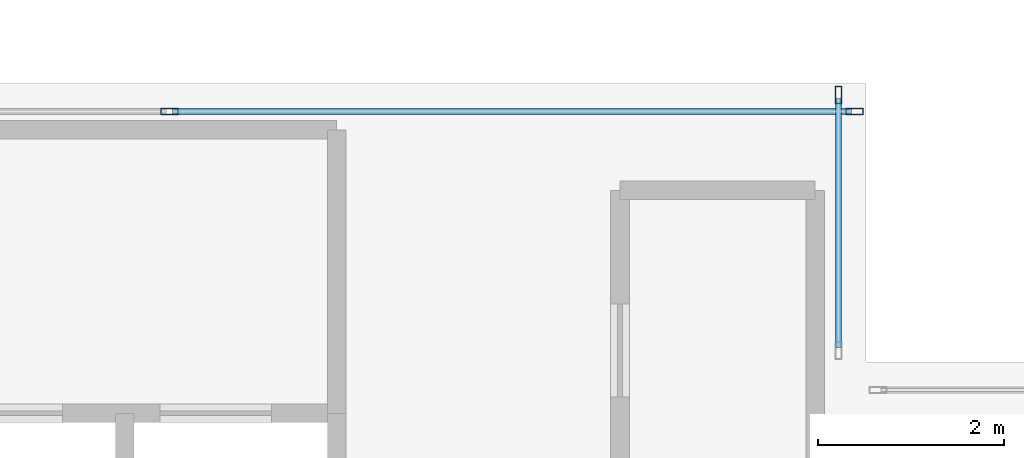
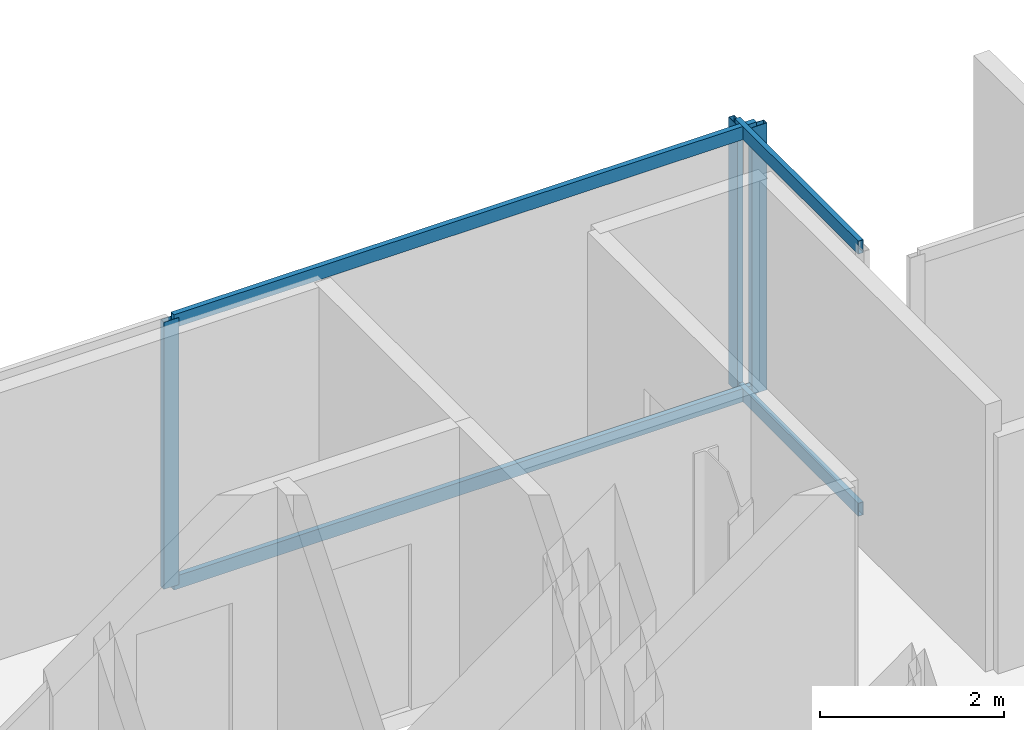
# One storey, part 12 of 22: 7 members, 2 elements without a shape of their own.
"""IFC4 building model written with IfcOpenShell, lengths in metres."""

from ifc_helpers import new_model, si_unit, direction, frame, origin, origin_2d, place, context, subcontext, project, spatial, hollow_rectangle, extrude, material, layer, layer_set, material_profile, profile_set, type_object, element, aggregate, save


model = new_model("IFC4")

# Units and contexts
model_context = context("Model", 3, precision=1e-05, world=origin(), true_north=direction((0.0, 1.0)))
body_context = subcontext(model_context, "Body", "Model", "MODEL_VIEW")
ifc_project = project(units=[si_unit("LENGTHUNIT", "METRE"), si_unit("AREAUNIT", "SQUARE_METRE"), si_unit("VOLUMEUNIT", "CUBIC_METRE"), si_unit("PLANEANGLEUNIT", "RADIAN"), si_unit("MASSUNIT", "GRAM", prefix="KILO"), si_unit("THERMODYNAMICTEMPERATUREUNIT", "KELVIN"), si_unit("POWERUNIT", "WATT")], contexts=[model_context])

# Site, building, storey
site_placement = place(None, origin())
site = spatial("IfcSite", under=ifc_project, at=site_placement, CompositionType="ELEMENT")
building_placement = place(site_placement, origin())
building = spatial("IfcBuilding", under=site, at=building_placement, Name="Svarakhadi Broadcast Tower", CompositionType="ELEMENT")
storey_placement = place(building_placement, frame((0.0, 0.0, 172.949951171875)))
storey = spatial("IfcBuildingStorey", under=building, at=storey_placement, Name="L42", CompositionType="ELEMENT", Elevation=172.949951171875)

# Curtain wall, members
ifc_material = material(Name="Anodised Bronze Aluminium AA 6063-T6", Category="aluminium")
ifc_layer = layer(ifc_material, 0.18994140625)
ifc_layer_set = layer_set([ifc_layer], Name="Anodised Bronze Aluminium AA 6063-T6")
curtain_wall_type = type_object("IfcCurtainWallType", Name="CW_Sys_04", PredefinedType="NOTDEFINED", material=ifc_layer_set)
curtain_wall_1_placement = place(storey_placement, origin())
curtain_wall_1 = element("IfcCurtainWall", 1, at=curtain_wall_1_placement, inside=storey, type_object=curtain_wall_type, Name="L42 Unitised Facade Curtain Wall 10", PredefinedType="NOTDEFINED")
ifc_material_profile_1 = material_profile(ifc_material, hollow_rectangle(XDim=0.070068359375, YDim=0.18994140625, WallThickness=0.005615234375, at=origin_2d()), Name="ALU MULLION 190x70x6")
ifc_profile_set_1 = profile_set([ifc_material_profile_1], Name="Anodised Bronze Aluminium AA 6063-T6")
member_type_1 = type_object("IfcMemberType", Name="CW_Sys_04_Mul", PredefinedType="MULLION", material=ifc_profile_set_1)
member_1_placement = place(storey_placement, frame((31.5, 23.699951171875, 0.0), z_axis=(0.0, 0.0, 1.0), x_axis=(0.0, 1.0, 0.0)))
member_1 = element("IfcMember", 2, at=member_1_placement, type_object=member_type_1, Name="CW-04 mullion 2", PredefinedType="MULLION", context=body_context, shape_type="SweptSolid", body=[
    extrude(hollow_rectangle(XDim=0.070068359375, YDim=0.18994140625, WallThickness=0.005615234375, at=origin_2d()), origin(), (0.0, 0.0, 1.0), 3.5400390625),
])
member_2_placement = place(storey_placement, frame((38.875, 23.699951171875, 0.0), z_axis=(0.0, 0.0, 1.0), x_axis=(0.0, 1.0, 0.0)))
member_2 = element("IfcMember", 3, at=member_2_placement, type_object=member_type_1, Name="CW-04 mullion 3", PredefinedType="MULLION", context=body_context, shape_type="SweptSolid", body=[
    extrude(hollow_rectangle(XDim=0.070068359375, YDim=0.18994140625, WallThickness=0.005615234375, at=origin_2d()), origin(), (0.0, 0.0, 1.0), 3.5400390625),
])

# Curtain wall, member
curtain_wall_2_placement = place(storey_placement, origin())
curtain_wall_2 = element("IfcCurtainWall", 4, at=curtain_wall_2_placement, inside=storey, type_object=curtain_wall_type, Name="L42 Unitised Facade Curtain Wall 11", PredefinedType="NOTDEFINED")
member_3_placement = place(storey_placement, frame((38.699951171875, 23.875, 0.0), z_axis=(0.0, 0.0, 1.0), x_axis=(1.0, 0.0, 0.0)))
member_3 = element("IfcMember", 5, at=member_3_placement, type_object=member_type_1, Name="CW-04 mullion 1", PredefinedType="MULLION", context=body_context, shape_type="SweptSolid", body=[
    extrude(hollow_rectangle(XDim=0.070068359375, YDim=0.18994140625, WallThickness=0.005615234375, at=origin_2d()), origin(), (0.0, 0.0, 1.0), 3.5400390625),
])

# Member
ifc_material_profile_2 = material_profile(ifc_material, hollow_rectangle(XDim=0.06494140625, YDim=0.175048828125, WallThickness=0.0048828125, at=origin_2d()), Name="ALU TRANSOM 175x65x5")
ifc_profile_set_2 = profile_set([ifc_material_profile_2], Name="Anodised Bronze Aluminium AA 6063-T6")
member_type_2 = type_object("IfcMemberType", Name="CW_Sys_04_Trn", PredefinedType="USERDEFINED", material=ifc_profile_set_2)
member_4_placement = place(storey_placement, frame((31.534912109375, 23.699951171875, 0.032470703125), z_axis=(1.0, 0.0, 0.0), x_axis=(0.0, 1.0, 0.0)))
member_4 = element("IfcMember", 6, at=member_4_placement, type_object=member_type_2, Name="CW-04 transom 2.1", ObjectType="TRANSOM", PredefinedType="USERDEFINED", context=body_context, shape_type="SweptSolid", body=[
    extrude(hollow_rectangle(XDim=0.06494140625, YDim=0.175048828125, WallThickness=0.0048828125, at=origin_2d()), origin(), (0.0, 0.0, 1.0), 7.30517578125),
])

member_5_placement = place(storey_placement, frame((31.534912109375, 23.699951171875, 3.507568359375), z_axis=(1.0, 0.0, 0.0), x_axis=(0.0, 1.0, 0.0)))
member_5 = element("IfcMember", 7, at=member_5_placement, type_object=member_type_2, Name="CW-04 transom 2.2", ObjectType="TRANSOM", PredefinedType="USERDEFINED", context=body_context, shape_type="SweptSolid", body=[
    extrude(hollow_rectangle(XDim=0.06494140625, YDim=0.175048828125, WallThickness=0.0048828125, at=origin_2d()), origin(), (0.0, 0.0, 1.0), 7.30517578125),
])

aggregate(curtain_wall_1, [member_1, member_2, member_4, member_5])

member_6_placement = place(storey_placement, frame((38.699951171875, 23.840087890625, 0.032470703125), z_axis=(0.0, -1.0, 0.0), x_axis=(1.0, 0.0, 0.0)))
member_6 = element("IfcMember", 8, at=member_6_placement, type_object=member_type_2, Name="CW-04 transom 1.1", ObjectType="TRANSOM", PredefinedType="USERDEFINED", context=body_context, shape_type="SweptSolid", body=[
    extrude(hollow_rectangle(XDim=0.06494140625, YDim=0.175048828125, WallThickness=0.0048828125, at=origin_2d()), origin(), (0.0, 0.0, 1.0), 2.68017578125),
])

member_7_placement = place(storey_placement, frame((38.699951171875, 23.840087890625, 3.507568359375), z_axis=(0.0, -1.0, 0.0), x_axis=(1.0, 0.0, 0.0)))
member_7 = element("IfcMember", 9, at=member_7_placement, type_object=member_type_2, Name="CW-04 transom 1.2", ObjectType="TRANSOM", PredefinedType="USERDEFINED", context=body_context, shape_type="SweptSolid", body=[
    extrude(hollow_rectangle(XDim=0.06494140625, YDim=0.175048828125, WallThickness=0.0048828125, at=origin_2d()), origin(), (0.0, 0.0, 1.0), 2.68017578125),
])

aggregate(curtain_wall_2, [member_3, member_6, member_7])

save(model, "model.ifc")
